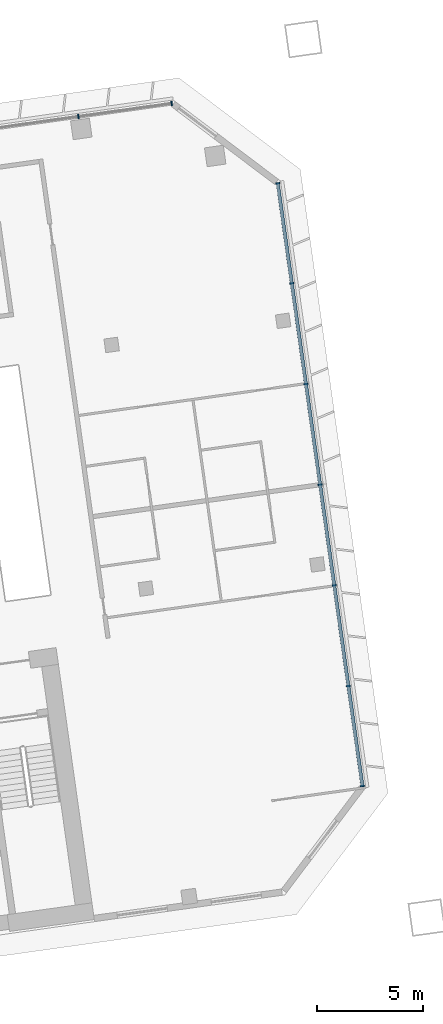
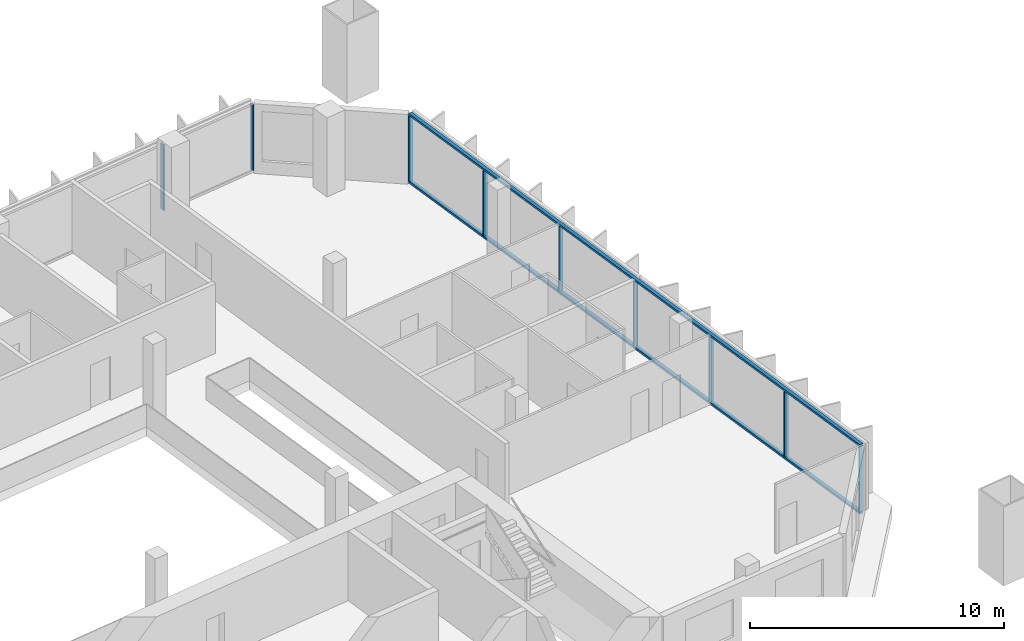
# One storey, part 11 of 24: 11 members, 2 elements without a shape of their own.
"""IFC4 building model written with IfcOpenShell, lengths in metres."""

from ifc_helpers import new_model, si_unit, direction, frame, origin, origin_2d, place, context, subcontext, project, spatial, rectangle, extrude, material, material_profile, profile_set, type_object, element, aggregate, save


model = new_model("IFC4")

# Units and contexts
model_context = context("Model", 3, precision=1e-05, world=origin(), true_north=direction((0.0, 1.0)))
body_context = subcontext(model_context, "Body", "Model", "MODEL_VIEW")
ifc_project = project(units=[si_unit("LENGTHUNIT", "METRE"), si_unit("AREAUNIT", "SQUARE_METRE"), si_unit("VOLUMEUNIT", "CUBIC_METRE"), si_unit("PLANEANGLEUNIT", "RADIAN"), si_unit("MASSUNIT", "GRAM", prefix="KILO")], contexts=[model_context])

# Site, building, storey
site_placement = place(None, origin())
site = spatial("IfcSite", under=ifc_project, at=site_placement, CompositionType="ELEMENT")
building_placement = place(site_placement, origin())
building = spatial("IfcBuilding", under=site, at=building_placement, Name="Mirante Cascada Hotel Towers", CompositionType="ELEMENT")
storey_placement = place(building_placement, frame((0.0, 0.0, 110.1)))
storey = spatial("IfcBuildingStorey", under=building, at=storey_placement, Name="L24", CompositionType="ELEMENT", Elevation=110.1)

# Curtain wall, members
ifc_material_1 = material(Name="Aluminium mullion and transom frame with clear laminated glass", Category="aluminium")
curtain_wall_type_1 = type_object("IfcCurtainWallType", Name="Ribbon curtain wall ECW1", PredefinedType="NOTDEFINED", material=ifc_material_1)
curtain_wall_1_placement = place(storey_placement, origin())
curtain_wall_1 = element("IfcCurtainWall", 1, at=curtain_wall_1_placement, inside=storey, type_object=curtain_wall_type_1, Name="Front ribbon wall T2 L24", PredefinedType="NOTDEFINED")
ifc_material_2 = material(Name="Anodised aluminium extrusion", Category="aluminium")
ifc_material_profile_1 = material_profile(ifc_material_2, rectangle(XDim=0.2, YDim=0.065, at=origin_2d()), Name="ECW1 MULLION 65x200")
ifc_profile_set_1 = profile_set([ifc_material_profile_1], Name="Anodised aluminium extrusion")
member_type_1 = type_object("IfcMemberType", Name="ECW1 mullion 65x200", PredefinedType="MULLION", material=ifc_profile_set_1)
member_1_placement = place(storey_placement, frame((94.126, 26.0476, 0.1), z_axis=(0.0, 0.0, 1.0), x_axis=(0.1391731, -0.9902681, 0.0)))
member_1 = element("IfcMember", 2, at=member_1_placement, type_object=member_type_1, Name="ECW1 mullion 1", PredefinedType="MULLION", context=body_context, shape_type="SweptSolid", body=[
    extrude(rectangle(XDim=0.2, YDim=0.065, at=origin_2d()), origin(), (0.0, 0.0, 1.0), 3.15),
])
member_2_placement = place(storey_placement, frame((89.7107, 25.427, 0.1), z_axis=(0.0, 0.0, 1.0), x_axis=(0.1391731, -0.9902681, 0.0)))
member_2 = element("IfcMember", 3, at=member_2_placement, type_object=member_type_1, Name="ECW1 mullion 2", PredefinedType="MULLION", context=body_context, shape_type="SweptSolid", body=[
    extrude(rectangle(XDim=0.2, YDim=0.065, at=origin_2d()), origin(), (0.0, 0.0, 1.0), 3.15),
])
aggregate(curtain_wall_1, [member_1, member_2])

ifc_material_3 = material(Name="Aluminium mullion and transom frame with clear laminated glass", Category="aluminium")
curtain_wall_type_2 = type_object("IfcCurtainWallType", Name="End ribbon curtain wall ECW2", PredefinedType="NOTDEFINED", material=ifc_material_3)
curtain_wall_2_placement = place(storey_placement, origin())
curtain_wall_2 = element("IfcCurtainWall", 4, at=curtain_wall_2_placement, inside=storey, type_object=curtain_wall_type_2, Name="Outer end wall T2 L24", PredefinedType="NOTDEFINED")
ifc_material_4 = material(Name="Anodised aluminium extrusion", Category="aluminium")
ifc_material_profile_2 = material_profile(ifc_material_4, rectangle(XDim=0.2, YDim=0.065, at=origin_2d()), Name="ECW2 MULLION 65x200")
ifc_profile_set_2 = profile_set([ifc_material_profile_2], Name="Anodised aluminium extrusion")
member_type_2 = type_object("IfcMemberType", Name="ECW2 mullion 65x200", PredefinedType="MULLION", material=ifc_profile_set_2)
member_3_placement = place(storey_placement, frame((103.1556, -6.2656, 0.1), z_axis=(0.0, 0.0, 1.0), x_axis=(-0.9902681, -0.1391731, 0.0)))
member_3 = element("IfcMember", 5, at=member_3_placement, type_object=member_type_2, Name="ECW2 mullion 1", PredefinedType="MULLION", context=body_context, shape_type="SweptSolid", body=[
    extrude(rectangle(XDim=0.2, YDim=0.065, at=origin_2d()), origin(), (0.0, 0.0, 1.0), 3.15),
])
member_4_placement = place(storey_placement, frame((102.4903, -1.532, 0.1), z_axis=(0.0, 0.0, 1.0), x_axis=(-0.9902681, -0.1391731, 0.0)))
member_4 = element("IfcMember", 6, at=member_4_placement, type_object=member_type_2, Name="ECW2 mullion 2", PredefinedType="MULLION", context=body_context, shape_type="SweptSolid", body=[
    extrude(rectangle(XDim=0.2, YDim=0.065, at=origin_2d()), origin(), (0.0, 0.0, 1.0), 3.15),
])
member_5_placement = place(storey_placement, frame((101.8205, 3.2338, 0.1), z_axis=(0.0, 0.0, 1.0), x_axis=(-0.9902681, -0.1391731, 0.0)))
member_5 = element("IfcMember", 7, at=member_5_placement, type_object=member_type_2, Name="ECW2 mullion 3", PredefinedType="MULLION", context=body_context, shape_type="SweptSolid", body=[
    extrude(rectangle(XDim=0.2, YDim=0.065, at=origin_2d()), origin(), (0.0, 0.0, 1.0), 3.15),
])
member_6_placement = place(storey_placement, frame((101.1508, 7.9996, 0.1), z_axis=(0.0, 0.0, 1.0), x_axis=(-0.9902681, -0.1391731, 0.0)))
member_6 = element("IfcMember", 8, at=member_6_placement, type_object=member_type_2, Name="ECW2 mullion 4", PredefinedType="MULLION", context=body_context, shape_type="SweptSolid", body=[
    extrude(rectangle(XDim=0.2, YDim=0.065, at=origin_2d()), origin(), (0.0, 0.0, 1.0), 3.15),
])
member_7_placement = place(storey_placement, frame((100.481, 12.7654, 0.1), z_axis=(0.0, 0.0, 1.0), x_axis=(-0.9902681, -0.1391731, 0.0)))
member_7 = element("IfcMember", 9, at=member_7_placement, type_object=member_type_2, Name="ECW2 mullion 5", PredefinedType="MULLION", context=body_context, shape_type="SweptSolid", body=[
    extrude(rectangle(XDim=0.2, YDim=0.065, at=origin_2d()), origin(), (0.0, 0.0, 1.0), 3.15),
])
member_8_placement = place(storey_placement, frame((99.8112, 17.5312, 0.1), z_axis=(0.0, 0.0, 1.0), x_axis=(-0.9902681, -0.1391731, 0.0)))
member_8 = element("IfcMember", 10, at=member_8_placement, type_object=member_type_2, Name="ECW2 mullion 6", PredefinedType="MULLION", context=body_context, shape_type="SweptSolid", body=[
    extrude(rectangle(XDim=0.2, YDim=0.065, at=origin_2d()), origin(), (0.0, 0.0, 1.0), 3.15),
])
member_9_placement = place(storey_placement, frame((99.1459, 22.2648, 0.1), z_axis=(0.0, 0.0, 1.0), x_axis=(-0.9902681, -0.1391731, 0.0)))
member_9 = element("IfcMember", 11, at=member_9_placement, type_object=member_type_2, Name="ECW2 mullion 7", PredefinedType="MULLION", context=body_context, shape_type="SweptSolid", body=[
    extrude(rectangle(XDim=0.2, YDim=0.065, at=origin_2d()), origin(), (0.0, 0.0, 1.0), 3.15),
])
ifc_material_5 = material(Name="Anodised aluminium extrusion", Category="aluminium")
ifc_material_profile_3 = material_profile(ifc_material_5, rectangle(XDim=0.16, YDim=0.1, at=origin_2d()), Name="ECW2 TRANSOM 100x160")
ifc_profile_set_3 = profile_set([ifc_material_profile_3], Name="Anodised aluminium extrusion")
member_type_3 = type_object("IfcMemberType", Name="ECW2 transom 100x160", PredefinedType="USERDEFINED", material=ifc_profile_set_3)
member_10_placement = place(storey_placement, frame((103.1601, -6.2978, 0.05), z_axis=(-0.1391723, 0.9902682, 0.0), x_axis=(-0.9902682, -0.1391723, 0.0)))
member_10 = element("IfcMember", 12, at=member_10_placement, type_object=member_type_3, Name="ECW2 sill transom", ObjectType="TRANSOM", PredefinedType="USERDEFINED", context=body_context, shape_type="SweptSolid", body=[
    extrude(rectangle(XDim=0.16, YDim=0.1, at=origin_2d()), origin(), (0.0, 0.0, 1.0), 28.8757),
])
member_11_placement = place(storey_placement, frame((103.1601, -6.2978, 3.3), z_axis=(-0.1391723, 0.9902682, 0.0), x_axis=(-0.9902682, -0.1391723, 0.0)))
member_11 = element("IfcMember", 13, at=member_11_placement, type_object=member_type_3, Name="ECW2 head transom", ObjectType="TRANSOM", PredefinedType="USERDEFINED", context=body_context, shape_type="SweptSolid", body=[
    extrude(rectangle(XDim=0.16, YDim=0.1, at=origin_2d()), origin(), (0.0, 0.0, 1.0), 28.8757),
])
aggregate(curtain_wall_2, [member_10, member_11, member_3, member_4, member_5, member_6, member_7, member_8, member_9])

save(model, "model.ifc")
